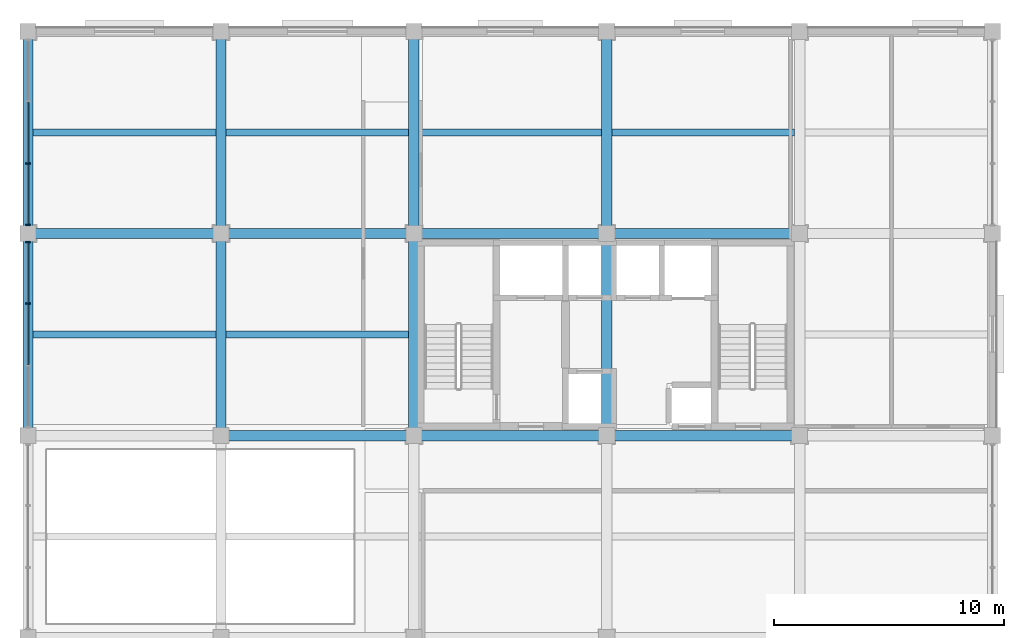
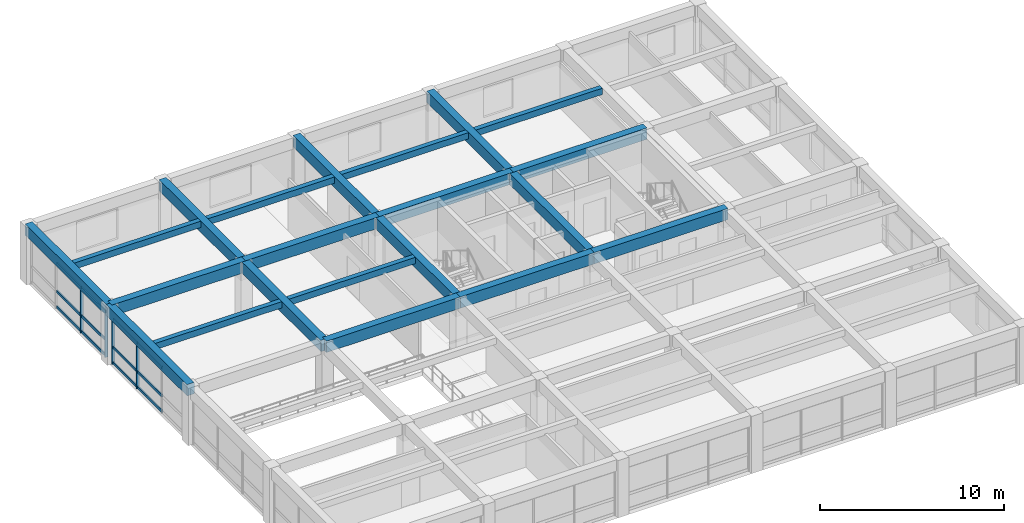
# One storey, part 4 of 13: 21 beams, 16 members, 2 elements without a shape of their own.
"""IFC4 building model written with IfcOpenShell, lengths in metres."""

from ifc_helpers import new_model, si_unit, direction, frame, origin, origin_2d, place, context, subcontext, project, spatial, rectangle, extrude, material, material_profile, profile_set, type_object, element, aggregate, save


model = new_model("IFC4")

# Units and contexts
model_context = context("Model", 3, precision=1e-05, world=origin(), true_north=direction((0.0, 1.0)))
body_context = subcontext(model_context, "Body", "Model", "MODEL_VIEW")
ifc_project = project(units=[si_unit("LENGTHUNIT", "METRE"), si_unit("AREAUNIT", "SQUARE_METRE"), si_unit("VOLUMEUNIT", "CUBIC_METRE"), si_unit("PLANEANGLEUNIT", "RADIAN"), si_unit("MASSUNIT", "GRAM", prefix="KILO")], contexts=[model_context])

# Site, building, storey
site_placement = place(None, origin())
site = spatial("IfcSite", under=ifc_project, at=site_placement, CompositionType="ELEMENT")
building_placement = place(site_placement, origin())
building = spatial("IfcBuilding", under=site, at=building_placement, Name="Kemercrest Conservatory and Botanical Centre", CompositionType="ELEMENT")
storey_placement = place(building_placement, frame((0.0, 0.0, 40.60009765625)))
storey = spatial("IfcBuildingStorey", under=building, at=storey_placement, Name="L10", CompositionType="ELEMENT", Elevation=40.60009765625)

# Beams
ifc_material_1 = material(Name="Concrete C40/50", Category="concrete")
ifc_material_profile_1 = material_profile(ifc_material_1, rectangle(XDim=0.449951171875, YDim=0.75, at=origin_2d()), Name="RC 450x750")
ifc_profile_set_1 = profile_set([ifc_material_profile_1], Name="Concrete C40/50")
beam_type_1 = type_object("IfcBeamType", Name="BM-RC75", PredefinedType="BEAM", material=ifc_profile_set_1)
beam_1_placement = place(storey_placement, frame((142.39990234375, 104.800048828125, 3.4248046875), z_axis=(1.0, 0.0, 0.0), x_axis=(0.0, 1.0, 0.0)))
element("IfcBeam", 1, at=beam_1_placement, inside=storey, type_object=beam_type_1, Name="V4-L11 beam BM-RC75 M/17-18", PredefinedType="BEAM", context=body_context, shape_type="SweptSolid", body=[
    extrude(rectangle(XDim=0.449951171875, YDim=0.75, at=origin_2d()), origin(), (0.0, 0.0, 1.0), 8.400146484375),
])
beam_2_placement = place(storey_placement, frame((150.800048828125, 104.800048828125, 3.4248046875), z_axis=(1.0, 0.0, 0.0), x_axis=(0.0, 1.0, 0.0)))
element("IfcBeam", 2, at=beam_2_placement, inside=storey, type_object=beam_type_1, Name="V4-L11 beam BM-RC75 M/18-19", PredefinedType="BEAM", context=body_context, shape_type="SweptSolid", body=[
    extrude(rectangle(XDim=0.449951171875, YDim=0.75, at=origin_2d()), origin(), (0.0, 0.0, 1.0), 8.39990234375),
])
beam_3_placement = place(storey_placement, frame((159.199951171875, 104.800048828125, 3.4248046875), z_axis=(1.0, 0.0, 0.0), x_axis=(0.0, 1.0, 0.0)))
element("IfcBeam", 3, at=beam_3_placement, inside=storey, type_object=beam_type_1, Name="V4-L11 beam BM-RC75 M/19-20", PredefinedType="BEAM", context=body_context, shape_type="SweptSolid", body=[
    extrude(rectangle(XDim=0.449951171875, YDim=0.75, at=origin_2d()), origin(), (0.0, 0.0, 1.0), 8.400146484375),
])
beam_4_placement = place(storey_placement, frame((134.0, 113.60009765625, 3.4248046875), z_axis=(1.0, 0.0, 0.0), x_axis=(0.0, 1.0, 0.0)))
element("IfcBeam", 4, at=beam_4_placement, inside=storey, type_object=beam_type_1, Name="V4-L11 beam BM-RC75 N/16-17", PredefinedType="BEAM", context=body_context, shape_type="SweptSolid", body=[
    extrude(rectangle(XDim=0.449951171875, YDim=0.75, at=origin_2d()), origin(), (0.0, 0.0, 1.0), 8.39990234375),
])
beam_5_placement = place(storey_placement, frame((142.39990234375, 113.60009765625, 3.4248046875), z_axis=(1.0, 0.0, 0.0), x_axis=(0.0, 1.0, 0.0)))
element("IfcBeam", 5, at=beam_5_placement, inside=storey, type_object=beam_type_1, Name="V4-L11 beam BM-RC75 N/17-18", PredefinedType="BEAM", context=body_context, shape_type="SweptSolid", body=[
    extrude(rectangle(XDim=0.449951171875, YDim=0.75, at=origin_2d()), origin(), (0.0, 0.0, 1.0), 8.400146484375),
])
beam_6_placement = place(storey_placement, frame((150.800048828125, 113.60009765625, 3.4248046875), z_axis=(1.0, 0.0, 0.0), x_axis=(0.0, 1.0, 0.0)))
element("IfcBeam", 6, at=beam_6_placement, inside=storey, type_object=beam_type_1, Name="V4-L11 beam BM-RC75 N/18-19", PredefinedType="BEAM", context=body_context, shape_type="SweptSolid", body=[
    extrude(rectangle(XDim=0.449951171875, YDim=0.75, at=origin_2d()), origin(), (0.0, 0.0, 1.0), 8.39990234375),
])
beam_7_placement = place(storey_placement, frame((159.199951171875, 113.60009765625, 3.4248046875), z_axis=(1.0, 0.0, 0.0), x_axis=(0.0, 1.0, 0.0)))
element("IfcBeam", 7, at=beam_7_placement, inside=storey, type_object=beam_type_1, Name="V4-L11 beam BM-RC75 N/19-20", PredefinedType="BEAM", context=body_context, shape_type="SweptSolid", body=[
    extrude(rectangle(XDim=0.449951171875, YDim=0.75, at=origin_2d()), origin(), (0.0, 0.0, 1.0), 8.400146484375),
])
beam_8_placement = place(storey_placement, frame((142.39990234375, 104.800048828125, 3.4248046875), z_axis=(0.0, 1.0, 0.0), x_axis=(-1.0, 0.0, 0.0)))
element("IfcBeam", 8, at=beam_8_placement, inside=storey, type_object=beam_type_1, Name="V4-L11 beam BM-RC75 17/M-N", PredefinedType="BEAM", context=body_context, shape_type="SweptSolid", body=[
    extrude(rectangle(XDim=0.449951171875, YDim=0.75, at=origin_2d()), origin(), (0.0, 0.0, 1.0), 8.800048828125),
])
beam_9_placement = place(storey_placement, frame((142.39990234375, 113.60009765625, 3.4248046875), z_axis=(0.0, 1.0, 0.0), x_axis=(-1.0, 0.0, 0.0)))
element("IfcBeam", 9, at=beam_9_placement, inside=storey, type_object=beam_type_1, Name="V4-L11 beam BM-RC75 17/N-P", PredefinedType="BEAM", context=body_context, shape_type="SweptSolid", body=[
    extrude(rectangle(XDim=0.449951171875, YDim=0.75, at=origin_2d()), origin(), (0.0, 0.0, 1.0), 8.7998046875),
])
beam_10_placement = place(storey_placement, frame((150.800048828125, 104.800048828125, 3.4248046875), z_axis=(0.0, 1.0, 0.0), x_axis=(-1.0, 0.0, 0.0)))
element("IfcBeam", 10, at=beam_10_placement, inside=storey, type_object=beam_type_1, Name="V4-L11 beam BM-RC75 18/M-N", PredefinedType="BEAM", context=body_context, shape_type="SweptSolid", body=[
    extrude(rectangle(XDim=0.449951171875, YDim=0.75, at=origin_2d()), origin(), (0.0, 0.0, 1.0), 8.800048828125),
])
beam_11_placement = place(storey_placement, frame((150.800048828125, 113.60009765625, 3.4248046875), z_axis=(0.0, 1.0, 0.0), x_axis=(-1.0, 0.0, 0.0)))
element("IfcBeam", 11, at=beam_11_placement, inside=storey, type_object=beam_type_1, Name="V4-L11 beam BM-RC75 18/N-P", PredefinedType="BEAM", context=body_context, shape_type="SweptSolid", body=[
    extrude(rectangle(XDim=0.449951171875, YDim=0.75, at=origin_2d()), origin(), (0.0, 0.0, 1.0), 8.7998046875),
])
beam_12_placement = place(storey_placement, frame((159.199951171875, 104.800048828125, 3.4248046875), z_axis=(0.0, 1.0, 0.0), x_axis=(-1.0, 0.0, 0.0)))
element("IfcBeam", 12, at=beam_12_placement, inside=storey, type_object=beam_type_1, Name="V4-L11 beam BM-RC75 19/M-N", PredefinedType="BEAM", context=body_context, shape_type="SweptSolid", body=[
    extrude(rectangle(XDim=0.449951171875, YDim=0.75, at=origin_2d()), origin(), (0.0, 0.0, 1.0), 8.800048828125),
])
beam_13_placement = place(storey_placement, frame((159.199951171875, 113.60009765625, 3.4248046875), z_axis=(0.0, 1.0, 0.0), x_axis=(-1.0, 0.0, 0.0)))
element("IfcBeam", 13, at=beam_13_placement, inside=storey, type_object=beam_type_1, Name="V4-L11 beam BM-RC75 19/N-P", PredefinedType="BEAM", context=body_context, shape_type="SweptSolid", body=[
    extrude(rectangle(XDim=0.449951171875, YDim=0.75, at=origin_2d()), origin(), (0.0, 0.0, 1.0), 8.7998046875),
])

# Curtain wall, members
ifc_material_2 = material(Name="Thermally broken aluminium and triple low-e glazing", Category="aluminium")
curtain_wall_type_1 = type_object("IfcCurtainWallType", Name="CW-29", PredefinedType="USERDEFINED", material=ifc_material_2)
curtain_wall_1_placement = place(storey_placement, origin())
curtain_wall_1 = element("IfcCurtainWall", 14, at=curtain_wall_1_placement, inside=storey, type_object=curtain_wall_type_1, Name="Unitised curtain wall CW-29 (CW:L10:V4-118)", ObjectType="UNITISED CURTAIN WALL", PredefinedType="USERDEFINED")
ifc_material_3 = material(Name="Thermally broken anodized aluminium 6063-T6", Category="aluminium")
ifc_material_profile_2 = material_profile(ifc_material_3, rectangle(XDim=0.199951171875, YDim=0.06494140625, at=origin_2d()), Name="AL MULLION 65x200")
ifc_profile_set_2 = profile_set([ifc_material_profile_2], Name="Thermally broken anodized aluminium 6063-T6")
member_type_1 = type_object("IfcMemberType", Name="CW-M200", PredefinedType="MULLION", material=ifc_profile_set_2)
member_1_placement = place(storey_placement, frame((134.0, 116.6484375, 0.0), z_axis=(0.0, 0.0, 1.0), x_axis=(1.0, 0.0, 0.0)))
member_1 = element("IfcMember", 15, at=member_1_placement, type_object=member_type_1, Name="CW-29 mullion 3", PredefinedType="MULLION", context=body_context, shape_type="SweptSolid", body=[
    extrude(rectangle(XDim=0.199951171875, YDim=0.06494140625, at=origin_2d()), origin(), (0.0, 0.0, 1.0), 3.054931640625),
])
member_2_placement = place(storey_placement, frame((134.0, 113.9775390625, 0.0), z_axis=(0.0, 0.0, 1.0), x_axis=(1.0, 0.0, 0.0)))
member_2 = element("IfcMember", 16, at=member_2_placement, type_object=member_type_1, Name="CW-29 mullion 4", PredefinedType="MULLION", context=body_context, shape_type="SweptSolid", body=[
    extrude(rectangle(XDim=0.199951171875, YDim=0.06494140625, at=origin_2d()), origin(), (0.0, 0.0, 1.0), 3.054931640625),
])

curtain_wall_type_2 = type_object("IfcCurtainWallType", Name="CW-30", PredefinedType="USERDEFINED", material=ifc_material_2)
curtain_wall_2_placement = place(storey_placement, origin())
curtain_wall_2 = element("IfcCurtainWall", 17, at=curtain_wall_2_placement, inside=storey, type_object=curtain_wall_type_2, Name="Unitised curtain wall CW-30 (CW:L10:V4-119)", ObjectType="UNITISED CURTAIN WALL", PredefinedType="USERDEFINED")
member_3_placement = place(storey_placement, frame((134.0, 113.222412109375, 0.0), z_axis=(0.0, 0.0, 1.0), x_axis=(1.0, 0.0, 0.0)))
member_3 = element("IfcMember", 18, at=member_3_placement, type_object=member_type_1, Name="CW-30 mullion 1", PredefinedType="MULLION", context=body_context, shape_type="SweptSolid", body=[
    extrude(rectangle(XDim=0.199951171875, YDim=0.06494140625, at=origin_2d()), origin(), (0.0, 0.0, 1.0), 3.054931640625),
])
member_4_placement = place(storey_placement, frame((134.0, 110.5517578125, 0.0), z_axis=(0.0, 0.0, 1.0), x_axis=(1.0, 0.0, 0.0)))
member_4 = element("IfcMember", 19, at=member_4_placement, type_object=member_type_1, Name="CW-30 mullion 2", PredefinedType="MULLION", context=body_context, shape_type="SweptSolid", body=[
    extrude(rectangle(XDim=0.199951171875, YDim=0.06494140625, at=origin_2d()), origin(), (0.0, 0.0, 1.0), 3.054931640625),
])

# Member
ifc_material_profile_3 = material_profile(ifc_material_3, rectangle(XDim=0.074951171875, YDim=0.179931640625, at=origin_2d()), Name="AL TRANSOM 75x180")
ifc_profile_set_3 = profile_set([ifc_material_profile_3], Name="Thermally broken anodized aluminium 6063-T6")
member_type_2 = type_object("IfcMemberType", Name="CW-T180", PredefinedType="USERDEFINED", material=ifc_profile_set_3)
member_5_placement = place(storey_placement, frame((134.0, 119.319091796875, 0.08984375), z_axis=(0.0, -1.0, 0.0), x_axis=(1.0, 0.0, 0.0)))
member_5 = element("IfcMember", 20, at=member_5_placement, type_object=member_type_2, Name="CW-29 transom 2.1", ObjectType="TRANSOM", PredefinedType="USERDEFINED", context=body_context, shape_type="SweptSolid", body=[
    extrude(rectangle(XDim=0.074951171875, YDim=0.179931640625, at=origin_2d()), origin(), (0.0, 0.0, 1.0), 2.63818359375),
])

member_6_placement = place(storey_placement, frame((134.0, 119.319091796875, 1.119873046875), z_axis=(0.0, -1.0, 0.0), x_axis=(1.0, 0.0, 0.0)))
member_6 = element("IfcMember", 21, at=member_6_placement, type_object=member_type_2, Name="CW-29 transom 2.2", ObjectType="TRANSOM", PredefinedType="USERDEFINED", context=body_context, shape_type="SweptSolid", body=[
    extrude(rectangle(XDim=0.074951171875, YDim=0.179931640625, at=origin_2d()), origin(), (0.0, 0.0, 1.0), 2.63818359375),
])

member_7_placement = place(storey_placement, frame((134.0, 119.319091796875, 2.96484375), z_axis=(0.0, -1.0, 0.0), x_axis=(1.0, 0.0, 0.0)))
member_7 = element("IfcMember", 22, at=member_7_placement, type_object=member_type_2, Name="CW-29 transom 2.3", ObjectType="TRANSOM", PredefinedType="USERDEFINED", context=body_context, shape_type="SweptSolid", body=[
    extrude(rectangle(XDim=0.074951171875, YDim=0.179931640625, at=origin_2d()), origin(), (0.0, 0.0, 1.0), 2.63818359375),
])

member_8_placement = place(storey_placement, frame((134.0, 116.61572265625, 0.08984375), z_axis=(0.0, -1.0, 0.0), x_axis=(1.0, 0.0, 0.0)))
member_8 = element("IfcMember", 23, at=member_8_placement, type_object=member_type_2, Name="CW-29 transom 3.1", ObjectType="TRANSOM", PredefinedType="USERDEFINED", context=body_context, shape_type="SweptSolid", body=[
    extrude(rectangle(XDim=0.074951171875, YDim=0.179931640625, at=origin_2d()), origin(), (0.0, 0.0, 1.0), 2.605712890625),
])

member_9_placement = place(storey_placement, frame((134.0, 116.61572265625, 1.119873046875), z_axis=(0.0, -1.0, 0.0), x_axis=(1.0, 0.0, 0.0)))
member_9 = element("IfcMember", 24, at=member_9_placement, type_object=member_type_2, Name="CW-29 transom 3.2", ObjectType="TRANSOM", PredefinedType="USERDEFINED", context=body_context, shape_type="SweptSolid", body=[
    extrude(rectangle(XDim=0.074951171875, YDim=0.179931640625, at=origin_2d()), origin(), (0.0, 0.0, 1.0), 2.605712890625),
])

member_10_placement = place(storey_placement, frame((134.0, 116.61572265625, 2.96484375), z_axis=(0.0, -1.0, 0.0), x_axis=(1.0, 0.0, 0.0)))
member_10 = element("IfcMember", 25, at=member_10_placement, type_object=member_type_2, Name="CW-29 transom 3.3", ObjectType="TRANSOM", PredefinedType="USERDEFINED", context=body_context, shape_type="SweptSolid", body=[
    extrude(rectangle(XDim=0.074951171875, YDim=0.179931640625, at=origin_2d()), origin(), (0.0, 0.0, 1.0), 2.605712890625),
])

aggregate(curtain_wall_1, [member_1, member_2, member_5, member_6, member_7, member_8, member_9, member_10])

member_11_placement = place(storey_placement, frame((134.0, 113.18994140625, 0.08984375), z_axis=(0.0, -1.0, 0.0), x_axis=(1.0, 0.0, 0.0)))
member_11 = element("IfcMember", 26, at=member_11_placement, type_object=member_type_2, Name="CW-30 transom 1.1", ObjectType="TRANSOM", PredefinedType="USERDEFINED", context=body_context, shape_type="SweptSolid", body=[
    extrude(rectangle(XDim=0.074951171875, YDim=0.179931640625, at=origin_2d()), origin(), (0.0, 0.0, 1.0), 2.605712890625),
])

member_12_placement = place(storey_placement, frame((134.0, 113.18994140625, 1.119873046875), z_axis=(0.0, -1.0, 0.0), x_axis=(1.0, 0.0, 0.0)))
member_12 = element("IfcMember", 27, at=member_12_placement, type_object=member_type_2, Name="CW-30 transom 1.2", ObjectType="TRANSOM", PredefinedType="USERDEFINED", context=body_context, shape_type="SweptSolid", body=[
    extrude(rectangle(XDim=0.074951171875, YDim=0.179931640625, at=origin_2d()), origin(), (0.0, 0.0, 1.0), 2.605712890625),
])

member_13_placement = place(storey_placement, frame((134.0, 113.18994140625, 2.96484375), z_axis=(0.0, -1.0, 0.0), x_axis=(1.0, 0.0, 0.0)))
member_13 = element("IfcMember", 28, at=member_13_placement, type_object=member_type_2, Name="CW-30 transom 1.3", ObjectType="TRANSOM", PredefinedType="USERDEFINED", context=body_context, shape_type="SweptSolid", body=[
    extrude(rectangle(XDim=0.074951171875, YDim=0.179931640625, at=origin_2d()), origin(), (0.0, 0.0, 1.0), 2.605712890625),
])

member_14_placement = place(storey_placement, frame((134.0, 110.519287109375, 0.08984375), z_axis=(0.0, -1.0, 0.0), x_axis=(1.0, 0.0, 0.0)))
member_14 = element("IfcMember", 29, at=member_14_placement, type_object=member_type_2, Name="CW-30 transom 2.1", ObjectType="TRANSOM", PredefinedType="USERDEFINED", context=body_context, shape_type="SweptSolid", body=[
    extrude(rectangle(XDim=0.074951171875, YDim=0.179931640625, at=origin_2d()), origin(), (0.0, 0.0, 1.0), 2.638427734375),
])

member_15_placement = place(storey_placement, frame((134.0, 110.519287109375, 1.119873046875), z_axis=(0.0, -1.0, 0.0), x_axis=(1.0, 0.0, 0.0)))
member_15 = element("IfcMember", 30, at=member_15_placement, type_object=member_type_2, Name="CW-30 transom 2.2", ObjectType="TRANSOM", PredefinedType="USERDEFINED", context=body_context, shape_type="SweptSolid", body=[
    extrude(rectangle(XDim=0.074951171875, YDim=0.179931640625, at=origin_2d()), origin(), (0.0, 0.0, 1.0), 2.638427734375),
])

member_16_placement = place(storey_placement, frame((134.0, 110.519287109375, 2.96484375), z_axis=(0.0, -1.0, 0.0), x_axis=(1.0, 0.0, 0.0)))
member_16 = element("IfcMember", 31, at=member_16_placement, type_object=member_type_2, Name="CW-30 transom 2.3", ObjectType="TRANSOM", PredefinedType="USERDEFINED", context=body_context, shape_type="SweptSolid", body=[
    extrude(rectangle(XDim=0.074951171875, YDim=0.179931640625, at=origin_2d()), origin(), (0.0, 0.0, 1.0), 2.638427734375),
])

aggregate(curtain_wall_2, [member_3, member_4, member_11, member_12, member_13, member_14, member_15, member_16])

# Beams
ifc_material_profile_4 = material_profile(ifc_material_1, rectangle(XDim=0.300048828125, YDim=0.419921875, at=origin_2d()), Name="RC 300x420")
ifc_profile_set_4 = profile_set([ifc_material_profile_4], Name="Concrete C40/50")
beam_type_2 = type_object("IfcBeamType", Name="JS-RC42", PredefinedType="JOIST", material=ifc_profile_set_4)
for number, where, z_axis, x_axis, name in (
    (32, (134.22509765625, 109.199951171875, 3.58984375), (1.0, 0.0, 0.0), (0.0, 1.0, 0.0), "V4-L11 secondary joist JS-RC42"),
    (33, (142.625, 109.199951171875, 3.58984375), (1.0, 0.0, 0.0), (0.0, 1.0, 0.0), "V4-L11 secondary joist JS-RC42"),
    (34, (134.22509765625, 118.0, 3.58984375), (1.0, 0.0, 0.0), (0.0, 1.0, 0.0), "V4-L11 secondary joist JS-RC42"),
    (35, (142.625, 118.0, 3.58984375), (1.0, 0.0, 0.0), (0.0, 1.0, 0.0), "V4-L11 secondary joist JS-RC42"),
):
    element("IfcBeam", number, at=place(storey_placement, frame(where, z_axis=z_axis, x_axis=x_axis)), inside=storey, type_object=beam_type_2, Name=name, PredefinedType="JOIST", context=body_context, shape_type="SweptSolid", body=[
        extrude(rectangle(XDim=0.300048828125, YDim=0.419921875, at=origin_2d()), origin(), (0.0, 0.0, 1.0), 7.949951171875),
    ])
beam_14_placement = place(storey_placement, frame((151.02490234375, 118.0, 3.58984375), z_axis=(1.0, 0.0, 0.0), x_axis=(0.0, 1.0, 0.0)))
element("IfcBeam", 36, at=beam_14_placement, inside=storey, type_object=beam_type_2, Name="V4-L11 secondary joist JS-RC42", PredefinedType="JOIST", context=body_context, shape_type="SweptSolid", body=[
    extrude(rectangle(XDim=0.300048828125, YDim=0.419921875, at=origin_2d()), origin(), (0.0, 0.0, 1.0), 7.9501953125),
])
beam_15_placement = place(storey_placement, frame((159.425048828125, 118.0, 3.58984375), z_axis=(1.0, 0.0, 0.0), x_axis=(0.0, 1.0, 0.0)))
element("IfcBeam", 37, at=beam_15_placement, inside=storey, type_object=beam_type_2, Name="V4-L11 secondary joist JS-RC42", PredefinedType="JOIST", context=body_context, shape_type="SweptSolid", body=[
    extrude(rectangle(XDim=0.300048828125, YDim=0.419921875, at=origin_2d()), origin(), (0.0, 0.0, 1.0), 7.949951171875),
])
ifc_material_profile_5 = material_profile(ifc_material_1, rectangle(XDim=0.449951171875, YDim=0.75, at=origin_2d()), Name="RC 450x750")
ifc_profile_set_5 = profile_set([ifc_material_profile_5], Name="Concrete C40/50")
beam_type_3 = type_object("IfcBeamType", Name="SP-RC75", PredefinedType="SPANDREL", material=ifc_profile_set_5)
beam_16_placement = place(storey_placement, frame((134.0, 104.800048828125, 3.4248046875), z_axis=(0.0, 1.0, 0.0), x_axis=(-1.0, 0.0, 0.0)))
element("IfcBeam", 38, at=beam_16_placement, inside=storey, type_object=beam_type_3, Name="V4-L11 beam SP-RC75 16/M-N", PredefinedType="SPANDREL", context=body_context, shape_type="SweptSolid", body=[
    extrude(rectangle(XDim=0.449951171875, YDim=0.75, at=origin_2d()), origin(), (0.0, 0.0, 1.0), 8.800048828125),
])
beam_17_placement = place(storey_placement, frame((134.0, 113.60009765625, 3.4248046875), z_axis=(0.0, 1.0, 0.0), x_axis=(-1.0, 0.0, 0.0)))
element("IfcBeam", 39, at=beam_17_placement, inside=storey, type_object=beam_type_3, Name="V4-L11 beam SP-RC75 16/N-P", PredefinedType="SPANDREL", context=body_context, shape_type="SweptSolid", body=[
    extrude(rectangle(XDim=0.449951171875, YDim=0.75, at=origin_2d()), origin(), (0.0, 0.0, 1.0), 8.7998046875),
])

save(model, "model.ifc")
